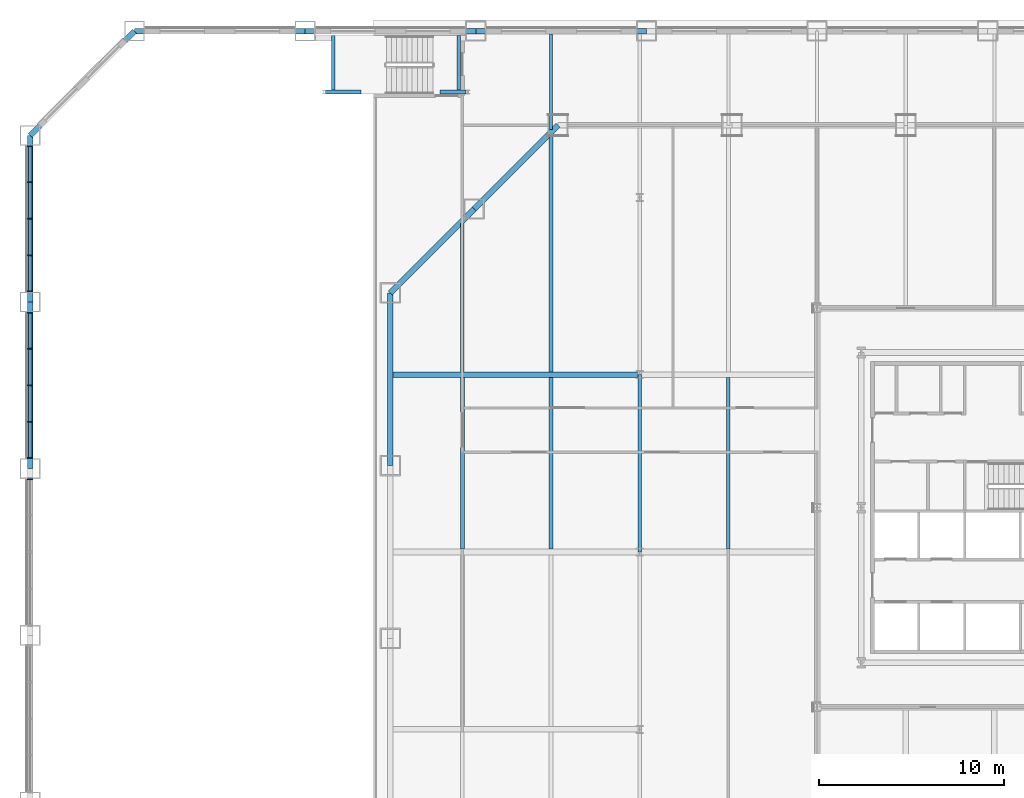
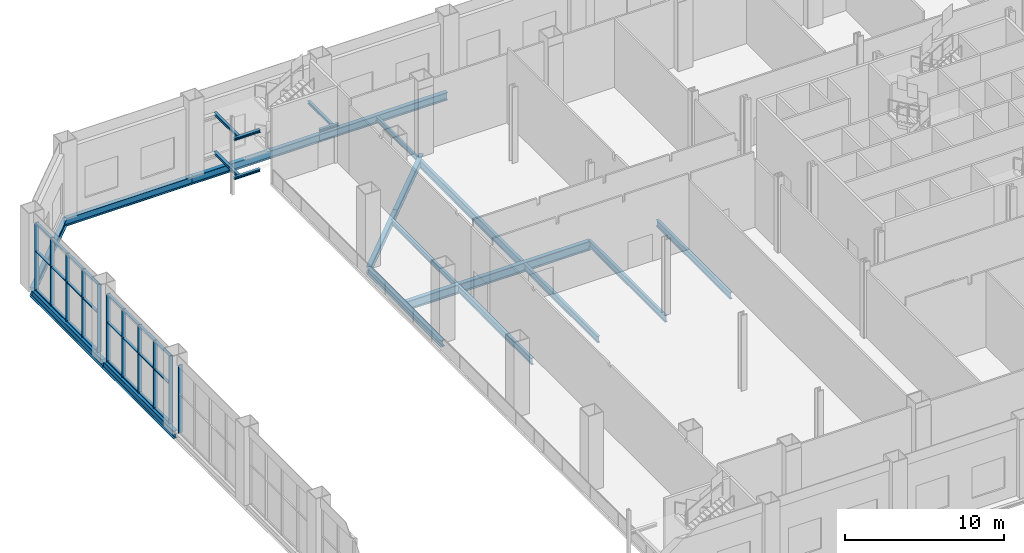
# One storey, part 11 of 31: 35 members, 23 beams, 3 elements without a shape of their own.
"""IFC4 building model written with IfcOpenShell, lengths in metres."""

from ifc_helpers import new_model, si_unit, direction, frame, origin, origin_2d, place, context, subcontext, project, spatial, rectangle, i_section, extrude, material, material_profile, profile_set, type_object, element, aggregate, save


model = new_model("IFC4")

# Units and contexts
model_context = context("Model", 3, precision=1e-05, world=origin(), true_north=direction((0.0, 1.0)))
body_context = subcontext(model_context, "Body", "Model", "MODEL_VIEW")
ifc_project = project(units=[si_unit("LENGTHUNIT", "METRE"), si_unit("AREAUNIT", "SQUARE_METRE"), si_unit("VOLUMEUNIT", "CUBIC_METRE"), si_unit("PLANEANGLEUNIT", "RADIAN"), si_unit("MASSUNIT", "GRAM", prefix="KILO")], contexts=[model_context])

# Site, building, storey
site_placement = place(None, origin())
site = spatial("IfcSite", under=ifc_project, at=site_placement, CompositionType="ELEMENT")
building_placement = place(site_placement, origin())
building = spatial("IfcBuilding", under=site, at=building_placement, Name="Cairn Pilgrim Tower", CompositionType="ELEMENT")
storey_placement = place(building_placement, frame((0.0, 0.0, 15.0)))
storey = spatial("IfcBuildingStorey", under=building, at=storey_placement, Name="L02", CompositionType="ELEMENT", Elevation=15.0)

# Curtain wall, members
ifc_material_1 = material(Name="Bronze anodised aluminium with Tinted laminated low-E glass", Category="aluminium")
curtain_wall_type = type_object("IfcCurtainWallType", Name="HALL CW", PredefinedType="NOTDEFINED", material=ifc_material_1)
curtain_wall_1_placement = place(storey_placement, origin())
curtain_wall_1 = element("IfcCurtainWall", 1, at=curtain_wall_1_placement, inside=storey, type_object=curtain_wall_type, Name="HALL CW L02 W1-W2", PredefinedType="NOTDEFINED")
ifc_material_2 = material(Name="Bronze anodised aluminium", Category="aluminium")
ifc_material_profile_1 = material_profile(ifc_material_2, rectangle(XDim=0.300048828125, YDim=0.06005859375, at=origin_2d()), Name="HALL MULLION 60x300 BRONZE")
ifc_profile_set_1 = profile_set([ifc_material_profile_1], Name="Bronze anodised aluminium")
member_type_1 = type_object("IfcMemberType", Name="HALL MULLION 60x300 BRONZE", PredefinedType="MULLION", material=ifc_profile_set_1)
member_1_placement = place(storey_placement, frame((-47.39990234375, 21.971435546875, 0.0), z_axis=(0.0, 0.0, 1.0), x_axis=(1.0, 0.0, 0.0)))
member_1 = element("IfcMember", 2, at=member_1_placement, type_object=member_type_1, Name="HCW-W1-W2 mullion 1", PredefinedType="MULLION", context=body_context, shape_type="SweptSolid", body=[
    extrude(rectangle(XDim=0.300048828125, YDim=0.06005859375, at=origin_2d()), origin(), (0.0, 0.0, 1.0), 5.199951171875),
])
member_2_placement = place(storey_placement, frame((-47.39990234375, 20.021240234375, 0.0), z_axis=(0.0, 0.0, 1.0), x_axis=(1.0, 0.0, 0.0)))
member_2 = element("IfcMember", 3, at=member_2_placement, type_object=member_type_1, Name="HCW-W1-W2 mullion 2", PredefinedType="MULLION", context=body_context, shape_type="SweptSolid", body=[
    extrude(rectangle(XDim=0.300048828125, YDim=0.06005859375, at=origin_2d()), origin(), (0.0, 0.0, 1.0), 5.199951171875),
])
member_3_placement = place(storey_placement, frame((-47.39990234375, 18.041259765625, 0.0), z_axis=(0.0, 0.0, 1.0), x_axis=(1.0, 0.0, 0.0)))
member_3 = element("IfcMember", 4, at=member_3_placement, type_object=member_type_1, Name="HCW-W1-W2 mullion 3", PredefinedType="MULLION", context=body_context, shape_type="SweptSolid", body=[
    extrude(rectangle(XDim=0.300048828125, YDim=0.06005859375, at=origin_2d()), origin(), (0.0, 0.0, 1.0), 5.199951171875),
])
member_4_placement = place(storey_placement, frame((-47.39990234375, 16.06103515625, 0.0), z_axis=(0.0, 0.0, 1.0), x_axis=(1.0, 0.0, 0.0)))
member_4 = element("IfcMember", 5, at=member_4_placement, type_object=member_type_1, Name="HCW-W1-W2 mullion 4", PredefinedType="MULLION", context=body_context, shape_type="SweptSolid", body=[
    extrude(rectangle(XDim=0.300048828125, YDim=0.06005859375, at=origin_2d()), origin(), (0.0, 0.0, 1.0), 5.199951171875),
])
member_5_placement = place(storey_placement, frame((-47.39990234375, 14.11083984375, 0.0), z_axis=(0.0, 0.0, 1.0), x_axis=(1.0, 0.0, 0.0)))
member_5 = element("IfcMember", 6, at=member_5_placement, type_object=member_type_1, Name="HCW-W1-W2 mullion 5", PredefinedType="MULLION", context=body_context, shape_type="SweptSolid", body=[
    extrude(rectangle(XDim=0.300048828125, YDim=0.06005859375, at=origin_2d()), origin(), (0.0, 0.0, 1.0), 5.199951171875),
])

curtain_wall_2_placement = place(storey_placement, origin())
curtain_wall_2 = element("IfcCurtainWall", 7, at=curtain_wall_2_placement, inside=storey, type_object=curtain_wall_type, Name="HALL CW L02 W2-W3", PredefinedType="NOTDEFINED")
member_6_placement = place(storey_placement, frame((-47.39990234375, 12.950927734375, 0.0), z_axis=(0.0, 0.0, 1.0), x_axis=(1.0, 0.0, 0.0)))
member_6 = element("IfcMember", 8, at=member_6_placement, type_object=member_type_1, Name="HCW-W2-W3 mullion 1", PredefinedType="MULLION", context=body_context, shape_type="SweptSolid", body=[
    extrude(rectangle(XDim=0.300048828125, YDim=0.06005859375, at=origin_2d()), origin(), (0.0, 0.0, 1.0), 5.199951171875),
])
member_7_placement = place(storey_placement, frame((-47.39990234375, 11.000732421875, 0.0), z_axis=(0.0, 0.0, 1.0), x_axis=(1.0, 0.0, 0.0)))
member_7 = element("IfcMember", 9, at=member_7_placement, type_object=member_type_1, Name="HCW-W2-W3 mullion 2", PredefinedType="MULLION", context=body_context, shape_type="SweptSolid", body=[
    extrude(rectangle(XDim=0.300048828125, YDim=0.06005859375, at=origin_2d()), origin(), (0.0, 0.0, 1.0), 5.199951171875),
])
member_8_placement = place(storey_placement, frame((-47.39990234375, 9.0205078125, 0.0), z_axis=(0.0, 0.0, 1.0), x_axis=(1.0, 0.0, 0.0)))
member_8 = element("IfcMember", 10, at=member_8_placement, type_object=member_type_1, Name="HCW-W2-W3 mullion 3", PredefinedType="MULLION", context=body_context, shape_type="SweptSolid", body=[
    extrude(rectangle(XDim=0.300048828125, YDim=0.06005859375, at=origin_2d()), origin(), (0.0, 0.0, 1.0), 5.199951171875),
])
member_9_placement = place(storey_placement, frame((-47.39990234375, 7.04052734375, 0.0), z_axis=(0.0, 0.0, 1.0), x_axis=(1.0, 0.0, 0.0)))
member_9 = element("IfcMember", 11, at=member_9_placement, type_object=member_type_1, Name="HCW-W2-W3 mullion 4", PredefinedType="MULLION", context=body_context, shape_type="SweptSolid", body=[
    extrude(rectangle(XDim=0.300048828125, YDim=0.06005859375, at=origin_2d()), origin(), (0.0, 0.0, 1.0), 5.199951171875),
])
member_10_placement = place(storey_placement, frame((-47.39990234375, 5.09033203125, 0.0), z_axis=(0.0, 0.0, 1.0), x_axis=(1.0, 0.0, 0.0)))
member_10 = element("IfcMember", 12, at=member_10_placement, type_object=member_type_1, Name="HCW-W2-W3 mullion 5", PredefinedType="MULLION", context=body_context, shape_type="SweptSolid", body=[
    extrude(rectangle(XDim=0.300048828125, YDim=0.06005859375, at=origin_2d()), origin(), (0.0, 0.0, 1.0), 5.199951171875),
])

# Curtain wall, member
curtain_wall_3_placement = place(storey_placement, origin())
curtain_wall_3 = element("IfcCurtainWall", 13, at=curtain_wall_3_placement, inside=storey, type_object=curtain_wall_type, Name="HALL CW L02 W3-W4", PredefinedType="NOTDEFINED")
member_11_placement = place(storey_placement, frame((-47.39990234375, 3.930419921875, 0.0), z_axis=(0.0, 0.0, 1.0), x_axis=(1.0, 0.0, 0.0)))
member_11 = element("IfcMember", 14, at=member_11_placement, type_object=member_type_1, Name="HCW-W3-W4 mullion 1", PredefinedType="MULLION", context=body_context, shape_type="SweptSolid", body=[
    extrude(rectangle(XDim=0.300048828125, YDim=0.06005859375, at=origin_2d()), origin(), (0.0, 0.0, 1.0), 5.199951171875),
])
aggregate(curtain_wall_3, [member_11])

# Member
ifc_material_profile_2 = material_profile(ifc_material_2, rectangle(XDim=0.199951171875, YDim=0.06005859375, at=origin_2d()), Name="HALL TRANSOM 60x200 BRONZE")
ifc_profile_set_2 = profile_set([ifc_material_profile_2], Name="Bronze anodised aluminium")
member_type_2 = type_object("IfcMemberType", Name="HALL TRANSOM 60x200 BRONZE", PredefinedType="USERDEFINED", material=ifc_profile_set_2)
member_12_placement = place(storey_placement, frame((-47.39990234375, 21.94140625, 0.030029296875), z_axis=(0.0, -1.0, 0.0), x_axis=(1.0, 0.0, 0.0)))
member_12 = element("IfcMember", 15, at=member_12_placement, type_object=member_type_2, Name="HCW-W1-W2 transom 1.1", ObjectType="TRANSOM", PredefinedType="USERDEFINED", context=body_context, shape_type="SweptSolid", body=[
    extrude(rectangle(XDim=0.199951171875, YDim=0.06005859375, at=origin_2d()), origin(), (0.0, 0.0, 1.0), 1.89013671875),
])

member_13_placement = place(storey_placement, frame((-47.39990234375, 21.94140625, 3.0), z_axis=(0.0, -1.0, 0.0), x_axis=(1.0, 0.0, 0.0)))
member_13 = element("IfcMember", 16, at=member_13_placement, type_object=member_type_2, Name="HCW-W1-W2 transom 1.2", ObjectType="TRANSOM", PredefinedType="USERDEFINED", context=body_context, shape_type="SweptSolid", body=[
    extrude(rectangle(XDim=0.199951171875, YDim=0.06005859375, at=origin_2d()), origin(), (0.0, 0.0, 1.0), 1.89013671875),
])

member_14_placement = place(storey_placement, frame((-47.39990234375, 21.94140625, 5.169921875), z_axis=(0.0, -1.0, 0.0), x_axis=(1.0, 0.0, 0.0)))
member_14 = element("IfcMember", 17, at=member_14_placement, type_object=member_type_2, Name="HCW-W1-W2 transom 1.3", ObjectType="TRANSOM", PredefinedType="USERDEFINED", context=body_context, shape_type="SweptSolid", body=[
    extrude(rectangle(XDim=0.199951171875, YDim=0.06005859375, at=origin_2d()), origin(), (0.0, 0.0, 1.0), 1.89013671875),
])

member_15_placement = place(storey_placement, frame((-47.39990234375, 19.991455078125, 0.030029296875), z_axis=(0.0, -1.0, 0.0), x_axis=(1.0, 0.0, 0.0)))
member_15 = element("IfcMember", 18, at=member_15_placement, type_object=member_type_2, Name="HCW-W1-W2 transom 2.1", ObjectType="TRANSOM", PredefinedType="USERDEFINED", context=body_context, shape_type="SweptSolid", body=[
    extrude(rectangle(XDim=0.199951171875, YDim=0.06005859375, at=origin_2d()), origin(), (0.0, 0.0, 1.0), 1.920166015625),
])

member_16_placement = place(storey_placement, frame((-47.39990234375, 19.991455078125, 3.0), z_axis=(0.0, -1.0, 0.0), x_axis=(1.0, 0.0, 0.0)))
member_16 = element("IfcMember", 19, at=member_16_placement, type_object=member_type_2, Name="HCW-W1-W2 transom 2.2", ObjectType="TRANSOM", PredefinedType="USERDEFINED", context=body_context, shape_type="SweptSolid", body=[
    extrude(rectangle(XDim=0.199951171875, YDim=0.06005859375, at=origin_2d()), origin(), (0.0, 0.0, 1.0), 1.920166015625),
])

member_17_placement = place(storey_placement, frame((-47.39990234375, 19.991455078125, 5.169921875), z_axis=(0.0, -1.0, 0.0), x_axis=(1.0, 0.0, 0.0)))
member_17 = element("IfcMember", 20, at=member_17_placement, type_object=member_type_2, Name="HCW-W1-W2 transom 2.3", ObjectType="TRANSOM", PredefinedType="USERDEFINED", context=body_context, shape_type="SweptSolid", body=[
    extrude(rectangle(XDim=0.199951171875, YDim=0.06005859375, at=origin_2d()), origin(), (0.0, 0.0, 1.0), 1.920166015625),
])

member_18_placement = place(storey_placement, frame((-47.39990234375, 18.01123046875, 0.030029296875), z_axis=(0.0, -1.0, 0.0), x_axis=(1.0, 0.0, 0.0)))
member_18 = element("IfcMember", 21, at=member_18_placement, type_object=member_type_2, Name="HCW-W1-W2 transom 3.1", ObjectType="TRANSOM", PredefinedType="USERDEFINED", context=body_context, shape_type="SweptSolid", body=[
    extrude(rectangle(XDim=0.199951171875, YDim=0.06005859375, at=origin_2d()), origin(), (0.0, 0.0, 1.0), 1.920166015625),
])

member_19_placement = place(storey_placement, frame((-47.39990234375, 18.01123046875, 3.0), z_axis=(0.0, -1.0, 0.0), x_axis=(1.0, 0.0, 0.0)))
member_19 = element("IfcMember", 22, at=member_19_placement, type_object=member_type_2, Name="HCW-W1-W2 transom 3.2", ObjectType="TRANSOM", PredefinedType="USERDEFINED", context=body_context, shape_type="SweptSolid", body=[
    extrude(rectangle(XDim=0.199951171875, YDim=0.06005859375, at=origin_2d()), origin(), (0.0, 0.0, 1.0), 1.920166015625),
])

member_20_placement = place(storey_placement, frame((-47.39990234375, 18.01123046875, 5.169921875), z_axis=(0.0, -1.0, 0.0), x_axis=(1.0, 0.0, 0.0)))
member_20 = element("IfcMember", 23, at=member_20_placement, type_object=member_type_2, Name="HCW-W1-W2 transom 3.3", ObjectType="TRANSOM", PredefinedType="USERDEFINED", context=body_context, shape_type="SweptSolid", body=[
    extrude(rectangle(XDim=0.199951171875, YDim=0.06005859375, at=origin_2d()), origin(), (0.0, 0.0, 1.0), 1.920166015625),
])

member_21_placement = place(storey_placement, frame((-47.39990234375, 16.031005859375, 0.030029296875), z_axis=(0.0, -1.0, 0.0), x_axis=(1.0, 0.0, 0.0)))
member_21 = element("IfcMember", 24, at=member_21_placement, type_object=member_type_2, Name="HCW-W1-W2 transom 4.1", ObjectType="TRANSOM", PredefinedType="USERDEFINED", context=body_context, shape_type="SweptSolid", body=[
    extrude(rectangle(XDim=0.199951171875, YDim=0.06005859375, at=origin_2d()), origin(), (0.0, 0.0, 1.0), 1.89013671875),
])

member_22_placement = place(storey_placement, frame((-47.39990234375, 16.031005859375, 3.0), z_axis=(0.0, -1.0, 0.0), x_axis=(1.0, 0.0, 0.0)))
member_22 = element("IfcMember", 25, at=member_22_placement, type_object=member_type_2, Name="HCW-W1-W2 transom 4.2", ObjectType="TRANSOM", PredefinedType="USERDEFINED", context=body_context, shape_type="SweptSolid", body=[
    extrude(rectangle(XDim=0.199951171875, YDim=0.06005859375, at=origin_2d()), origin(), (0.0, 0.0, 1.0), 1.89013671875),
])

member_23_placement = place(storey_placement, frame((-47.39990234375, 16.031005859375, 5.169921875), z_axis=(0.0, -1.0, 0.0), x_axis=(1.0, 0.0, 0.0)))
member_23 = element("IfcMember", 26, at=member_23_placement, type_object=member_type_2, Name="HCW-W1-W2 transom 4.3", ObjectType="TRANSOM", PredefinedType="USERDEFINED", context=body_context, shape_type="SweptSolid", body=[
    extrude(rectangle(XDim=0.199951171875, YDim=0.06005859375, at=origin_2d()), origin(), (0.0, 0.0, 1.0), 1.89013671875),
])

aggregate(curtain_wall_1, [member_1, member_2, member_3, member_4, member_5, member_12, member_13, member_14, member_15, member_16, member_17, member_18, member_19, member_20, member_21, member_22, member_23])

member_24_placement = place(storey_placement, frame((-47.39990234375, 12.9208984375, 0.030029296875), z_axis=(0.0, -1.0, 0.0), x_axis=(1.0, 0.0, 0.0)))
member_24 = element("IfcMember", 27, at=member_24_placement, type_object=member_type_2, Name="HCW-W2-W3 transom 1.1", ObjectType="TRANSOM", PredefinedType="USERDEFINED", context=body_context, shape_type="SweptSolid", body=[
    extrude(rectangle(XDim=0.199951171875, YDim=0.06005859375, at=origin_2d()), origin(), (0.0, 0.0, 1.0), 1.89013671875),
])

member_25_placement = place(storey_placement, frame((-47.39990234375, 12.9208984375, 3.0), z_axis=(0.0, -1.0, 0.0), x_axis=(1.0, 0.0, 0.0)))
member_25 = element("IfcMember", 28, at=member_25_placement, type_object=member_type_2, Name="HCW-W2-W3 transom 1.2", ObjectType="TRANSOM", PredefinedType="USERDEFINED", context=body_context, shape_type="SweptSolid", body=[
    extrude(rectangle(XDim=0.199951171875, YDim=0.06005859375, at=origin_2d()), origin(), (0.0, 0.0, 1.0), 1.89013671875),
])

member_26_placement = place(storey_placement, frame((-47.39990234375, 12.9208984375, 5.169921875), z_axis=(0.0, -1.0, 0.0), x_axis=(1.0, 0.0, 0.0)))
member_26 = element("IfcMember", 29, at=member_26_placement, type_object=member_type_2, Name="HCW-W2-W3 transom 1.3", ObjectType="TRANSOM", PredefinedType="USERDEFINED", context=body_context, shape_type="SweptSolid", body=[
    extrude(rectangle(XDim=0.199951171875, YDim=0.06005859375, at=origin_2d()), origin(), (0.0, 0.0, 1.0), 1.89013671875),
])

member_27_placement = place(storey_placement, frame((-47.39990234375, 10.970703125, 0.030029296875), z_axis=(0.0, -1.0, 0.0), x_axis=(1.0, 0.0, 0.0)))
member_27 = element("IfcMember", 30, at=member_27_placement, type_object=member_type_2, Name="HCW-W2-W3 transom 2.1", ObjectType="TRANSOM", PredefinedType="USERDEFINED", context=body_context, shape_type="SweptSolid", body=[
    extrude(rectangle(XDim=0.199951171875, YDim=0.06005859375, at=origin_2d()), origin(), (0.0, 0.0, 1.0), 1.920166015625),
])

member_28_placement = place(storey_placement, frame((-47.39990234375, 10.970703125, 3.0), z_axis=(0.0, -1.0, 0.0), x_axis=(1.0, 0.0, 0.0)))
member_28 = element("IfcMember", 31, at=member_28_placement, type_object=member_type_2, Name="HCW-W2-W3 transom 2.2", ObjectType="TRANSOM", PredefinedType="USERDEFINED", context=body_context, shape_type="SweptSolid", body=[
    extrude(rectangle(XDim=0.199951171875, YDim=0.06005859375, at=origin_2d()), origin(), (0.0, 0.0, 1.0), 1.920166015625),
])

member_29_placement = place(storey_placement, frame((-47.39990234375, 10.970703125, 5.169921875), z_axis=(0.0, -1.0, 0.0), x_axis=(1.0, 0.0, 0.0)))
member_29 = element("IfcMember", 32, at=member_29_placement, type_object=member_type_2, Name="HCW-W2-W3 transom 2.3", ObjectType="TRANSOM", PredefinedType="USERDEFINED", context=body_context, shape_type="SweptSolid", body=[
    extrude(rectangle(XDim=0.199951171875, YDim=0.06005859375, at=origin_2d()), origin(), (0.0, 0.0, 1.0), 1.920166015625),
])

member_30_placement = place(storey_placement, frame((-47.39990234375, 8.990478515625, 0.030029296875), z_axis=(0.0, -1.0, 0.0), x_axis=(1.0, 0.0, 0.0)))
member_30 = element("IfcMember", 33, at=member_30_placement, type_object=member_type_2, Name="HCW-W2-W3 transom 3.1", ObjectType="TRANSOM", PredefinedType="USERDEFINED", context=body_context, shape_type="SweptSolid", body=[
    extrude(rectangle(XDim=0.199951171875, YDim=0.06005859375, at=origin_2d()), origin(), (0.0, 0.0, 1.0), 1.919921875),
])

member_31_placement = place(storey_placement, frame((-47.39990234375, 8.990478515625, 3.0), z_axis=(0.0, -1.0, 0.0), x_axis=(1.0, 0.0, 0.0)))
member_31 = element("IfcMember", 34, at=member_31_placement, type_object=member_type_2, Name="HCW-W2-W3 transom 3.2", ObjectType="TRANSOM", PredefinedType="USERDEFINED", context=body_context, shape_type="SweptSolid", body=[
    extrude(rectangle(XDim=0.199951171875, YDim=0.06005859375, at=origin_2d()), origin(), (0.0, 0.0, 1.0), 1.919921875),
])

member_32_placement = place(storey_placement, frame((-47.39990234375, 8.990478515625, 5.169921875), z_axis=(0.0, -1.0, 0.0), x_axis=(1.0, 0.0, 0.0)))
member_32 = element("IfcMember", 35, at=member_32_placement, type_object=member_type_2, Name="HCW-W2-W3 transom 3.3", ObjectType="TRANSOM", PredefinedType="USERDEFINED", context=body_context, shape_type="SweptSolid", body=[
    extrude(rectangle(XDim=0.199951171875, YDim=0.06005859375, at=origin_2d()), origin(), (0.0, 0.0, 1.0), 1.919921875),
])

member_33_placement = place(storey_placement, frame((-47.39990234375, 7.010498046875, 0.030029296875), z_axis=(0.0, -1.0, 0.0), x_axis=(1.0, 0.0, 0.0)))
member_33 = element("IfcMember", 36, at=member_33_placement, type_object=member_type_2, Name="HCW-W2-W3 transom 4.1", ObjectType="TRANSOM", PredefinedType="USERDEFINED", context=body_context, shape_type="SweptSolid", body=[
    extrude(rectangle(XDim=0.199951171875, YDim=0.06005859375, at=origin_2d()), origin(), (0.0, 0.0, 1.0), 1.89013671875),
])

member_34_placement = place(storey_placement, frame((-47.39990234375, 7.010498046875, 3.0), z_axis=(0.0, -1.0, 0.0), x_axis=(1.0, 0.0, 0.0)))
member_34 = element("IfcMember", 37, at=member_34_placement, type_object=member_type_2, Name="HCW-W2-W3 transom 4.2", ObjectType="TRANSOM", PredefinedType="USERDEFINED", context=body_context, shape_type="SweptSolid", body=[
    extrude(rectangle(XDim=0.199951171875, YDim=0.06005859375, at=origin_2d()), origin(), (0.0, 0.0, 1.0), 1.89013671875),
])

member_35_placement = place(storey_placement, frame((-47.39990234375, 7.010498046875, 5.169921875), z_axis=(0.0, -1.0, 0.0), x_axis=(1.0, 0.0, 0.0)))
member_35 = element("IfcMember", 38, at=member_35_placement, type_object=member_type_2, Name="HCW-W2-W3 transom 4.3", ObjectType="TRANSOM", PredefinedType="USERDEFINED", context=body_context, shape_type="SweptSolid", body=[
    extrude(rectangle(XDim=0.199951171875, YDim=0.06005859375, at=origin_2d()), origin(), (0.0, 0.0, 1.0), 1.89013671875),
])

aggregate(curtain_wall_2, [member_6, member_7, member_8, member_9, member_10, member_24, member_25, member_26, member_27, member_28, member_29, member_30, member_31, member_32, member_33, member_34, member_35])

# Beams
ifc_material_3 = material(Name="Structural steel S355J2", Category="steel")
ifc_material_profile_3 = material_profile(ifc_material_3, i_section(OverallWidth=0.169921875, OverallDepth=0.360107421875, WebThickness=0.008056640625, FlangeThickness=0.0126953125, FilletRadius=0.01806640625, at=origin_2d()), Name="IPE 360")
ifc_profile_set_3 = profile_set([ifc_material_profile_3], Name="Structural steel S355J2")
beam_type_1 = type_object("IfcBeamType", Name="PODIUM BEAM IPE 360", PredefinedType="BEAM", material=ifc_profile_set_3)
beam_1_placement = place(storey_placement, frame((-19.199951171875, 22.879150390625, -0.3798828125), z_axis=(0.0, 1.0, 0.0), x_axis=(-1.0, 0.0, 0.0)))
element("IfcBeam", 39, at=beam_1_placement, inside=storey, type_object=beam_type_1, Name="PODIUM BEAM PB-IPE360", PredefinedType="BEAM", context=body_context, shape_type="SweptSolid", body=[
    extrude(i_section(OverallWidth=0.169921875, OverallDepth=0.360107421875, WebThickness=0.008056640625, FlangeThickness=0.0126953125, FilletRadius=0.01806640625, at=origin_2d()), origin(), (0.0, 0.0, 1.0), 5.1689453125),
])
ifc_material_profile_4 = material_profile(ifc_material_3, i_section(OverallWidth=0.179931640625, OverallDepth=0.39990234375, WebThickness=0.008544921875, FlangeThickness=0.013427734375, FilletRadius=0.02099609375, at=origin_2d()), Name="IPE 400")
ifc_profile_set_4 = profile_set([ifc_material_profile_4], Name="Structural steel S355J2")
beam_type_2 = type_object("IfcBeamType", Name="PODIUM BEAM IPE 400", PredefinedType="BEAM", material=ifc_profile_set_4)
beam_2_placement = place(storey_placement, frame((-24.0, 9.751953125, -0.39990234375), z_axis=(0.0, 1.0, 0.0), x_axis=(-1.0, 0.0, 0.0)))
element("IfcBeam", 40, at=beam_2_placement, inside=storey, type_object=beam_type_2, Name="PODIUM BEAM PB-IPE400", PredefinedType="BEAM", context=body_context, shape_type="SweptSolid", body=[
    extrude(i_section(OverallWidth=0.179931640625, OverallDepth=0.39990234375, WebThickness=0.008544921875, FlangeThickness=0.013427734375, FilletRadius=0.02099609375, at=origin_2d()), origin(), (0.0, 0.0, 1.0), 8.023193359375),
])
ifc_material_profile_5 = material_profile(ifc_material_3, i_section(OverallWidth=0.199951171875, OverallDepth=0.5, WebThickness=0.01025390625, FlangeThickness=0.01611328125, FilletRadius=0.02099609375, at=origin_2d()), Name="IPE 500")
ifc_profile_set_5 = profile_set([ifc_material_profile_5], Name="Structural steel S355J2")
beam_type_3 = type_object("IfcBeamType", Name="PODIUM BEAM IPE 500", PredefinedType="BEAM", material=ifc_profile_set_5)
for number, where, z_axis, x_axis, name in (
    (41, (-24.0, 0.152099609375, -0.449951171875), (0.0, 1.0, 0.0), (-1.0, 0.0, 0.0), "PODIUM BEAM PB-IPE500"),
    (42, (-19.199951171875, 0.152099609375, -0.449951171875), (0.0, 1.0, 0.0), (-1.0, 0.0, 0.0), "PODIUM BEAM PB-IPE500"),
):
    element("IfcBeam", number, at=place(storey_placement, frame(where, z_axis=z_axis, x_axis=x_axis)), inside=storey, type_object=beam_type_3, Name=name, PredefinedType="BEAM", context=body_context, shape_type="SweptSolid", body=[
        extrude(i_section(OverallWidth=0.199951171875, OverallDepth=0.5, WebThickness=0.01025390625, FlangeThickness=0.01611328125, FilletRadius=0.02099609375, at=origin_2d()), origin(), (0.0, 0.0, 1.0), 9.2958984375),
    ])
beam_3_placement = place(storey_placement, frame((-14.39990234375, 0.0, -0.449951171875), z_axis=(0.0, 1.0, 0.0), x_axis=(-1.0, 0.0, 0.0)))
element("IfcBeam", 43, at=beam_3_placement, inside=storey, type_object=beam_type_3, Name="PODIUM BEAM PB-IPE500", PredefinedType="BEAM", context=body_context, shape_type="SweptSolid", body=[
    extrude(i_section(OverallWidth=0.199951171875, OverallDepth=0.5, WebThickness=0.01025390625, FlangeThickness=0.01611328125, FilletRadius=0.02099609375, at=origin_2d()), origin(), (0.0, 0.0, 1.0), 9.60009765625),
])
beam_4_placement = place(storey_placement, frame((-9.60009765625, 0.152099609375, -0.449951171875), z_axis=(0.0, 1.0, 0.0), x_axis=(-1.0, 0.0, 0.0)))
element("IfcBeam", 44, at=beam_4_placement, inside=storey, type_object=beam_type_3, Name="PODIUM BEAM PB-IPE500", PredefinedType="BEAM", context=body_context, shape_type="SweptSolid", body=[
    extrude(i_section(OverallWidth=0.199951171875, OverallDepth=0.5, WebThickness=0.01025390625, FlangeThickness=0.01611328125, FilletRadius=0.02099609375, at=origin_2d()), origin(), (0.0, 0.0, 1.0), 9.2958984375),
])
ifc_material_profile_6 = material_profile(ifc_material_3, i_section(OverallWidth=0.219970703125, OverallDepth=0.60009765625, WebThickness=0.011962890625, FlangeThickness=0.01904296875, FilletRadius=0.02392578125, at=origin_2d()), Name="IPE 600")
ifc_profile_set_6 = profile_set([ifc_material_profile_6], Name="Structural steel S355J2")
beam_type_4 = type_object("IfcBeamType", Name="PODIUM BEAM IPE 600", PredefinedType="BEAM", material=ifc_profile_set_6)
beam_5_placement = place(storey_placement, frame((-19.199951171875, 9.751953125, -0.5), z_axis=(0.0, 1.0, 0.0), x_axis=(-1.0, 0.0, 0.0)))
element("IfcBeam", 45, at=beam_5_placement, inside=storey, type_object=beam_type_4, Name="PODIUM BEAM PB-IPE600", PredefinedType="BEAM", context=body_context, shape_type="SweptSolid", body=[
    extrude(i_section(OverallWidth=0.219970703125, OverallDepth=0.60009765625, WebThickness=0.011962890625, FlangeThickness=0.01904296875, FilletRadius=0.02392578125, at=origin_2d()), origin(), (0.0, 0.0, 1.0), 12.8232421875),
])
ifc_material_profile_7 = material_profile(ifc_material_3, i_section(OverallWidth=0.300048828125, OverallDepth=0.60009765625, WebThickness=0.015380859375, FlangeThickness=0.030029296875, FilletRadius=0.027099609375, at=origin_2d()), Name="HEB 600")
ifc_profile_set_7 = profile_set([ifc_material_profile_7], Name="Structural steel S355J2")
beam_type_5 = type_object("IfcBeamType", Name="PODIUM EDGE GIRDER HE 600 B", PredefinedType="BEAM", material=ifc_profile_set_7)
beam_6_placement = place(storey_placement, frame((-14.037841796875, 28.199951171875, -0.5), z_axis=(-1.0, 0.0, 0.0), x_axis=(0.0, -1.0, 0.0)))
element("IfcBeam", 46, at=beam_6_placement, inside=storey, type_object=beam_type_5, Name="PODIUM EDGE GIRDER PE-HE600B", PredefinedType="BEAM", context=body_context, shape_type="SweptSolid", body=[
    extrude(i_section(OverallWidth=0.300048828125, OverallDepth=0.60009765625, WebThickness=0.015380859375, FlangeThickness=0.030029296875, FilletRadius=0.027099609375, at=origin_2d()), origin(), (0.0, 0.0, 1.0), 9.23779296875),
])
beam_7_placement = place(storey_placement, frame((-23.275634765625, 28.199951171875, -0.5), z_axis=(-1.0, 0.0, 0.0), x_axis=(0.0, -1.0, 0.0)))
element("IfcBeam", 47, at=beam_7_placement, inside=storey, type_object=beam_type_5, Name="PODIUM EDGE GIRDER PE-HE600B", PredefinedType="BEAM", context=body_context, shape_type="SweptSolid", body=[
    extrude(i_section(OverallWidth=0.300048828125, OverallDepth=0.60009765625, WebThickness=0.015380859375, FlangeThickness=0.030029296875, FilletRadius=0.027099609375, at=origin_2d()), origin(), (0.0, 0.0, 1.0), 9.238037109375),
])
beam_8_placement = place(storey_placement, frame((-32.513671875, 28.199951171875, -0.5), z_axis=(-1.0, 0.0, 0.0), x_axis=(0.0, -1.0, 0.0)))
element("IfcBeam", 48, at=beam_8_placement, inside=storey, type_object=beam_type_5, Name="PODIUM EDGE GIRDER PE-HE600B", PredefinedType="BEAM", context=body_context, shape_type="SweptSolid", body=[
    extrude(i_section(OverallWidth=0.300048828125, OverallDepth=0.60009765625, WebThickness=0.015380859375, FlangeThickness=0.030029296875, FilletRadius=0.027099609375, at=origin_2d()), origin(), (0.0, 0.0, 1.0), 9.23779296875),
])
beam_9_placement = place(storey_placement, frame((-41.75146484375, 28.199951171875, -0.5), z_axis=(-0.707106781187, -0.707106781187, 0.0), x_axis=(0.707106781187, -0.707106781187, 0.0)))
element("IfcBeam", 49, at=beam_9_placement, inside=storey, type_object=beam_type_5, Name="PODIUM EDGE GIRDER PE-HE600B", PredefinedType="BEAM", context=body_context, shape_type="SweptSolid", body=[
    extrude(i_section(OverallWidth=0.300048828125, OverallDepth=0.60009765625, WebThickness=0.015380859375, FlangeThickness=0.030029296875, FilletRadius=0.027099609375, at=origin_2d()), origin(), (0.0, 0.0, 1.0), 7.988037109375),
])
beam_10_placement = place(storey_placement, frame((-47.39990234375, 22.551513671875, -0.5), z_axis=(0.0, -1.0, 0.0), x_axis=(1.0, 0.0, 0.0)))
element("IfcBeam", 50, at=beam_10_placement, inside=storey, type_object=beam_type_5, Name="PODIUM EDGE GIRDER PE-HE600B", PredefinedType="BEAM", context=body_context, shape_type="SweptSolid", body=[
    extrude(i_section(OverallWidth=0.300048828125, OverallDepth=0.60009765625, WebThickness=0.015380859375, FlangeThickness=0.030029296875, FilletRadius=0.027099609375, at=origin_2d()), origin(), (0.0, 0.0, 1.0), 9.0205078125),
])
beam_11_placement = place(storey_placement, frame((-47.39990234375, 13.531005859375, -0.5), z_axis=(0.0, -1.0, 0.0), x_axis=(1.0, 0.0, 0.0)))
element("IfcBeam", 51, at=beam_11_placement, inside=storey, type_object=beam_type_5, Name="PODIUM EDGE GIRDER PE-HE600B", PredefinedType="BEAM", context=body_context, shape_type="SweptSolid", body=[
    extrude(i_section(OverallWidth=0.300048828125, OverallDepth=0.60009765625, WebThickness=0.015380859375, FlangeThickness=0.030029296875, FilletRadius=0.027099609375, at=origin_2d()), origin(), (0.0, 0.0, 1.0), 9.020751953125),
])
ifc_material_profile_8 = material_profile(ifc_material_3, i_section(OverallWidth=0.300048828125, OverallDepth=0.5, WebThickness=0.014404296875, FlangeThickness=0.028076171875, FilletRadius=0.027099609375, at=origin_2d()), Name="HEB 500")
ifc_profile_set_8 = profile_set([ifc_material_profile_8], Name="Structural steel S355J2")
beam_type_6 = type_object("IfcBeamType", Name="PODIUM GIRDER HE 500 B", PredefinedType="BEAM", material=ifc_profile_set_8)
for number, where, z_axis, x_axis, name in (
    (52, (-18.8271484375, 23.10009765625, -0.449951171875), (-0.707106781187, -0.707106781187, 0.0), (0.707106781187, -0.707106781187, 0.0), "PODIUM GIRDER PG-HE500B"),
    (53, (-23.363525390625, 18.563720703125, -0.449951171875), (-0.707087753759, -0.707125808102, 0.0), (0.707125808102, -0.707087753759, 0.0), "PODIUM GIRDER PG-HE500B"),
):
    element("IfcBeam", number, at=place(storey_placement, frame(where, z_axis=z_axis, x_axis=x_axis)), inside=storey, type_object=beam_type_6, Name=name, PredefinedType="BEAM", context=body_context, shape_type="SweptSolid", body=[
        extrude(i_section(OverallWidth=0.300048828125, OverallDepth=0.5, WebThickness=0.014404296875, FlangeThickness=0.028076171875, FilletRadius=0.027099609375, at=origin_2d()), origin(), (0.0, 0.0, 1.0), 6.41552734375),
    ])
beam_12_placement = place(storey_placement, frame((-27.89990234375, 14.027099609375, -0.449951171875), z_axis=(0.0, -1.0, 0.0), x_axis=(1.0, 0.0, 0.0)))
element("IfcBeam", 54, at=beam_12_placement, inside=storey, type_object=beam_type_6, Name="PODIUM GIRDER PG-HE500B", PredefinedType="BEAM", context=body_context, shape_type="SweptSolid", body=[
    extrude(i_section(OverallWidth=0.300048828125, OverallDepth=0.5, WebThickness=0.014404296875, FlangeThickness=0.028076171875, FilletRadius=0.027099609375, at=origin_2d()), origin(), (0.0, 0.0, 1.0), 9.351318359375),
])
ifc_material_profile_9 = material_profile(ifc_material_3, i_section(OverallWidth=0.300048828125, OverallDepth=0.699951171875, WebThickness=0.01708984375, FlangeThickness=0.031982421875, FilletRadius=0.027099609375, at=origin_2d()), Name="HEB 700")
ifc_profile_set_9 = profile_set([ifc_material_profile_9], Name="Structural steel S355J2")
beam_type_7 = type_object("IfcBeamType", Name="PODIUM GIRDER HE 700 B", PredefinedType="BEAM", material=ifc_profile_set_9)
beam_13_placement = place(storey_placement, frame((-27.748046875, 9.60009765625, -0.550048828125), z_axis=(1.0, 0.0, 0.0), x_axis=(0.0, 1.0, 0.0)))
element("IfcBeam", 55, at=beam_13_placement, inside=storey, type_object=beam_type_7, Name="PODIUM GIRDER PG-HE700B", PredefinedType="BEAM", context=body_context, shape_type="SweptSolid", body=[
    extrude(i_section(OverallWidth=0.300048828125, OverallDepth=0.699951171875, WebThickness=0.01708984375, FlangeThickness=0.031982421875, FilletRadius=0.027099609375, at=origin_2d()), origin(), (0.0, 0.0, 1.0), 13.34814453125),
])
ifc_material_profile_10 = material_profile(ifc_material_3, i_section(OverallWidth=0.199951171875, OverallDepth=0.199951171875, WebThickness=0.009033203125, FlangeThickness=0.014892578125, FilletRadius=0.01806640625, at=origin_2d()), Name="HE 200 B")
ifc_profile_set_10 = profile_set([ifc_material_profile_10], Name="Structural steel S355J2")
beam_type_8 = type_object("IfcBeamType", Name="STAIR LANDING BEAM HE 200 B", PredefinedType="BEAM", material=ifc_profile_set_10)
beam_14_placement = place(storey_placement, frame((-31.39990234375, 24.89990234375, 1.199951171875), z_axis=(1.0, 0.0, 0.0), x_axis=(0.0, 1.0, 0.0)))
element("IfcBeam", 56, at=beam_14_placement, inside=storey, type_object=beam_type_8, Name="STAIR LANDING BEAM LD-HE200B", PredefinedType="BEAM", context=body_context, shape_type="SweptSolid", body=[
    extrude(i_section(OverallWidth=0.199951171875, OverallDepth=0.199951171875, WebThickness=0.009033203125, FlangeThickness=0.014892578125, FilletRadius=0.01806640625, at=origin_2d()), origin(), (0.0, 0.0, 1.0), 1.89990234375),
])
beam_15_placement = place(storey_placement, frame((-30.9951171875, 25.0, 1.199951171875), z_axis=(0.0, 1.0, 0.0), x_axis=(-1.0, 0.0, 0.0)))
element("IfcBeam", 57, at=beam_15_placement, inside=storey, type_object=beam_type_8, Name="STAIR LANDING BEAM LD-HE200B", PredefinedType="BEAM", context=body_context, shape_type="SweptSolid", body=[
    extrude(i_section(OverallWidth=0.199951171875, OverallDepth=0.199951171875, WebThickness=0.009033203125, FlangeThickness=0.014892578125, FilletRadius=0.01806640625, at=origin_2d()), origin(), (0.0, 0.0, 1.0), 2.949951171875),
])
beam_16_placement = place(storey_placement, frame((-23.800048828125, 24.89990234375, 2.699951171875), z_axis=(-1.0, 0.0, 0.0), x_axis=(0.0, -1.0, 0.0)))
element("IfcBeam", 58, at=beam_16_placement, inside=storey, type_object=beam_type_8, Name="STAIR LANDING BEAM LD-HE200B", PredefinedType="BEAM", context=body_context, shape_type="SweptSolid", body=[
    extrude(i_section(OverallWidth=0.199951171875, OverallDepth=0.199951171875, WebThickness=0.009033203125, FlangeThickness=0.014892578125, FilletRadius=0.01806640625, at=origin_2d()), origin(), (0.0, 0.0, 1.0), 1.39990234375),
])
beam_17_placement = place(storey_placement, frame((-24.205078125, 25.0, 2.699951171875), z_axis=(0.0, 1.0, 0.0), x_axis=(-1.0, 0.0, 0.0)))
element("IfcBeam", 59, at=beam_17_placement, inside=storey, type_object=beam_type_8, Name="STAIR LANDING BEAM LD-HE200B", PredefinedType="BEAM", context=body_context, shape_type="SweptSolid", body=[
    extrude(i_section(OverallWidth=0.199951171875, OverallDepth=0.199951171875, WebThickness=0.009033203125, FlangeThickness=0.014892578125, FilletRadius=0.01806640625, at=origin_2d()), origin(), (0.0, 0.0, 1.0), 2.949951171875),
])
beam_18_placement = place(storey_placement, frame((-31.39990234375, 24.89990234375, 4.199951171875), z_axis=(1.0, 0.0, 0.0), x_axis=(0.0, 1.0, 0.0)))
element("IfcBeam", 60, at=beam_18_placement, inside=storey, type_object=beam_type_8, Name="STAIR LANDING BEAM LD-HE200B", PredefinedType="BEAM", context=body_context, shape_type="SweptSolid", body=[
    extrude(i_section(OverallWidth=0.199951171875, OverallDepth=0.199951171875, WebThickness=0.009033203125, FlangeThickness=0.014892578125, FilletRadius=0.01806640625, at=origin_2d()), origin(), (0.0, 0.0, 1.0), 1.89990234375),
])
beam_19_placement = place(storey_placement, frame((-30.9951171875, 25.0, 4.199951171875), z_axis=(0.0, 1.0, 0.0), x_axis=(-1.0, 0.0, 0.0)))
element("IfcBeam", 61, at=beam_19_placement, inside=storey, type_object=beam_type_8, Name="STAIR LANDING BEAM LD-HE200B", PredefinedType="BEAM", context=body_context, shape_type="SweptSolid", body=[
    extrude(i_section(OverallWidth=0.199951171875, OverallDepth=0.199951171875, WebThickness=0.009033203125, FlangeThickness=0.014892578125, FilletRadius=0.01806640625, at=origin_2d()), origin(), (0.0, 0.0, 1.0), 2.949951171875),
])

save(model, "model.ifc")
